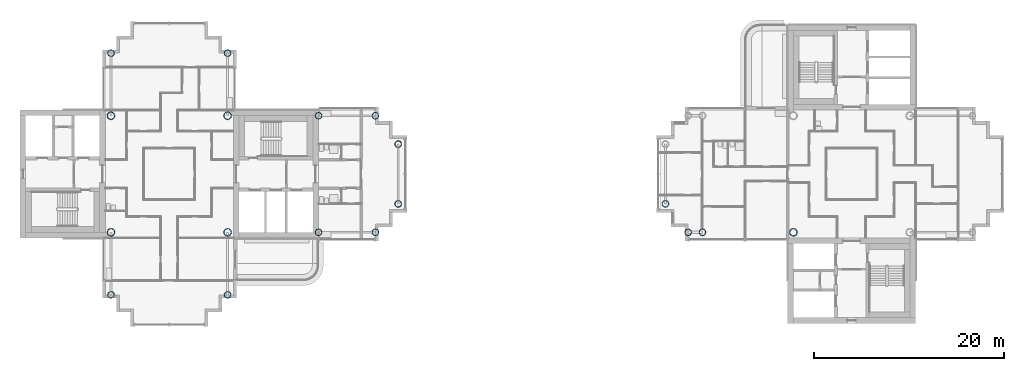
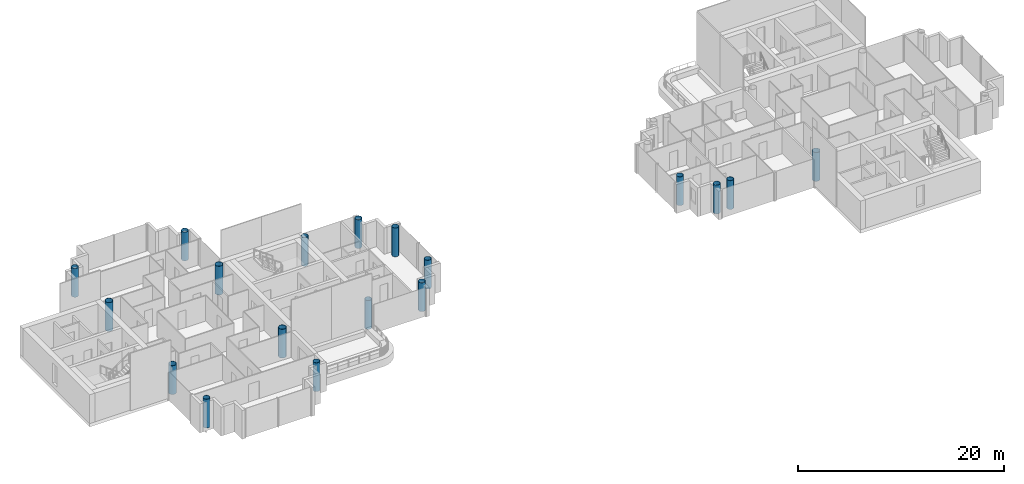
# One storey, part 1 of 18: 18 columns.
"""IFC4 building model written with IfcOpenShell, lengths in metres."""

from ifc_helpers import new_model, si_unit, direction, frame, origin, origin_2d, place, context, subcontext, project, spatial, hollow_circle, extrude, material, material_profile, profile_set, type_object, element, save


model = new_model("IFC4")

# Units and contexts
model_context = context("Model", 3, precision=1e-05, world=origin(), true_north=direction((0.0, 1.0)))
body_context = subcontext(model_context, "Body", "Model", "MODEL_VIEW")
ifc_project = project(units=[si_unit("LENGTHUNIT", "METRE"), si_unit("AREAUNIT", "SQUARE_METRE"), si_unit("VOLUMEUNIT", "CUBIC_METRE"), si_unit("PLANEANGLEUNIT", "RADIAN"), si_unit("MASSUNIT", "GRAM", prefix="KILO")], contexts=[model_context])

# Site, building, storey
site_placement = place(None, origin())
site = spatial("IfcSite", under=ifc_project, at=site_placement, CompositionType="ELEMENT")
building_placement = place(site_placement, origin())
building = spatial("IfcBuilding", under=site, at=building_placement, Name="Ipe Terrace Towers", CompositionType="ELEMENT")
storey_placement = place(building_placement, frame((0.0, 0.0, 199.39990234375)))
storey = spatial("IfcBuildingStorey", under=building, at=storey_placement, Name="L55", CompositionType="ELEMENT", Elevation=199.39990234375)

# Columns
ifc_material_1 = material(Name="Steel S355 tube with Concrete C60/75 fill", Category="concrete")
ifc_material_profile_1 = material_profile(ifc_material_1, hollow_circle(Radius=0.35009765625, WallThickness=0.02490234375, at=origin_2d()), Name="CHS-700x25")
ifc_profile_set_1 = profile_set([ifc_material_profile_1], Name="Steel S355 tube with Concrete C60/75 fill")
column_type_1 = type_object("IfcColumnType", Name="CH08 COLUMN CHS-700x25", PredefinedType="COLUMN", material=ifc_profile_set_1)
for number, where, z_axis, x_axis, name in (
    (1, (-20.25, -6.14990234375, 0.0), (0.0, 0.0, 1.0), (1.0, 0.0, 0.0), "Column T1-C-A01"),
    (2, (-20.25, 6.14990234375, 0.0), (0.0, 0.0, 1.0), (1.0, 0.0, 0.0), "Column T1-C-A02"),
    (3, (-14.25, -6.14990234375, 0.0), (0.0, 0.0, 1.0), (1.0, 0.0, 0.0), "Column T1-C-A03"),
    (4, (-14.25, 6.14990234375, 0.0), (0.0, 0.0, 1.0), (1.0, 0.0, 0.0), "Column T1-C-A04"),
    (5, (-11.85009765625, -3.14990234375, 0.0), (0.0, 0.0, 1.0), (1.0, 0.0, 0.0), "Column T1-C-A05"),
    (6, (-11.85009765625, 3.14990234375, 0.0), (0.0, 0.0, 1.0), (1.0, 0.0, 0.0), "Column T1-C-A06"),
    (7, (-29.85009765625, 12.75, 0.0), (0.0, 0.0, 1.0), (1.0, 0.0, 0.0), "Column T1-C-B01"),
    (8, (-42.14990234375, 12.75, 0.0), (0.0, 0.0, 1.0), (1.0, 0.0, 0.0), "Column T1-C-B02"),
    (9, (-42.14990234375, -12.75, 0.0), (0.0, 0.0, 1.0), (1.0, 0.0, 0.0), "Column T1-C-D01"),
    (10, (-29.85009765625, -12.75, 0.0), (0.0, 0.0, 1.0), (1.0, 0.0, 0.0), "Column T1-C-D02"),
    (11, (20.25, -6.14990234375, 0.0), (0.0, 0.0, 1.0), (1.0, 0.0, 0.0), "Column T2-C-B04"),
    (12, (18.75, -6.14990234375, 0.0), (0.0, 0.0, 1.0), (1.0, 0.0, 0.0), "Column T2-C-B06"),
    (13, (16.35009765625, -3.14990234375, 0.0), (0.0, 0.0, 1.0), (1.0, 0.0, 0.0), "Column T2-C-B08"),
):
    element("IfcColumn", number, at=place(storey_placement, frame(where, z_axis=z_axis, x_axis=x_axis)), inside=storey, type_object=column_type_1, Name=name, PredefinedType="COLUMN", context=body_context, shape_type="SweptSolid", body=[
        extrude(hollow_circle(Radius=0.35009765625, WallThickness=0.02490234375, at=origin_2d()), origin(), (0.0, 0.0, 1.0), 3.400146484375),
    ])
ifc_material_2 = material(Name="Steel S355 tube with Concrete C60/75 fill", Category="concrete")
ifc_material_profile_2 = material_profile(ifc_material_2, hollow_circle(Radius=0.39990234375, WallThickness=0.028076171875, at=origin_2d()), Name="CHS-800x28")
ifc_profile_set_2 = profile_set([ifc_material_profile_2], Name="Steel S355 tube with Concrete C60/75 fill")
column_type_2 = type_object("IfcColumnType", Name="CH09 COLUMN CHS-800x28", PredefinedType="COLUMN", material=ifc_profile_set_2)
for number, where, z_axis, x_axis, name in (
    (14, (-42.14990234375, -6.14990234375, 0.0), (0.0, 0.0, 1.0), (1.0, 0.0, 0.0), "Column T1-C-E01"),
    (15, (-29.85009765625, -6.14990234375, 0.0), (0.0, 0.0, 1.0), (1.0, 0.0, 0.0), "Column T1-C-E02"),
    (16, (-29.85009765625, 6.14990234375, 0.0), (0.0, 0.0, 1.0), (1.0, 0.0, 0.0), "Column T1-C-E03"),
    (17, (-42.14990234375, 6.14990234375, 0.0), (0.0, 0.0, 1.0), (1.0, 0.0, 0.0), "Column T1-C-E04"),
    (18, (29.85009765625, -6.14990234375, 0.0), (0.0, 0.0, 1.0), (1.0, 0.0, 0.0), "Column T2-C-E04"),
):
    element("IfcColumn", number, at=place(storey_placement, frame(where, z_axis=z_axis, x_axis=x_axis)), inside=storey, type_object=column_type_2, Name=name, PredefinedType="COLUMN", context=body_context, shape_type="SweptSolid", body=[
        extrude(hollow_circle(Radius=0.39990234375, WallThickness=0.028076171875, at=origin_2d()), origin(), (0.0, 0.0, 1.0), 3.400146484375),
    ])

save(model, "model.ifc")
